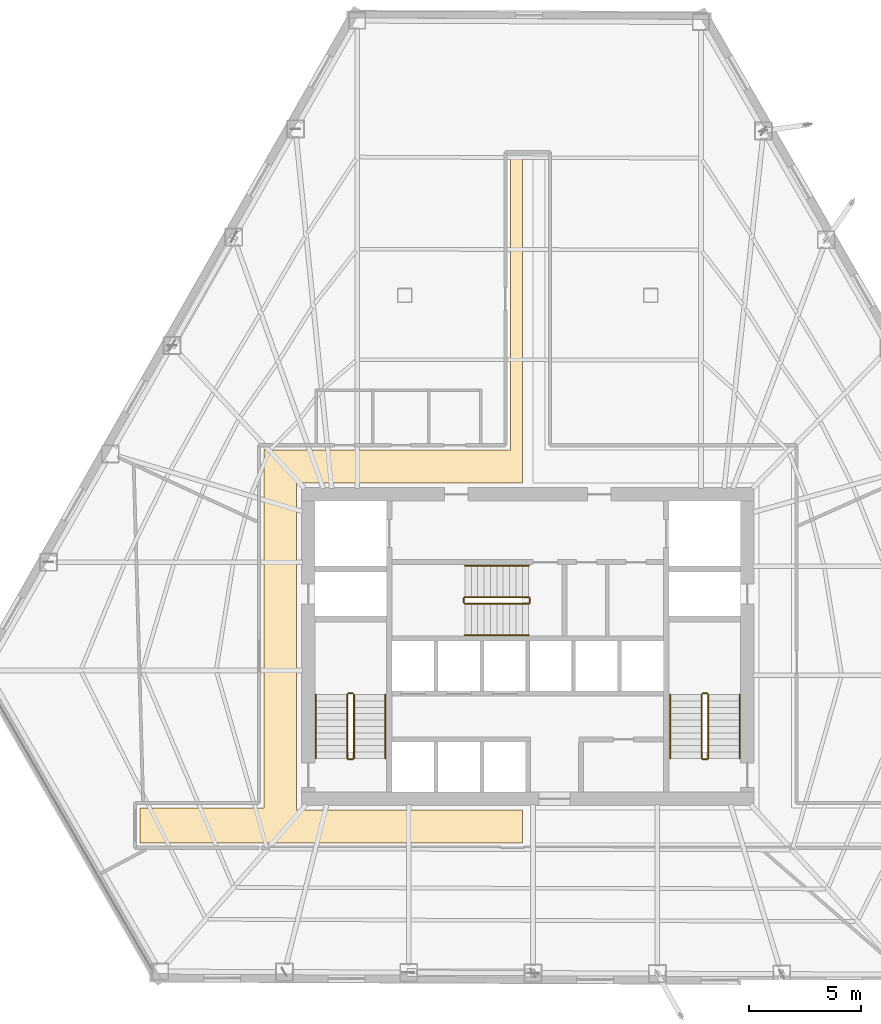
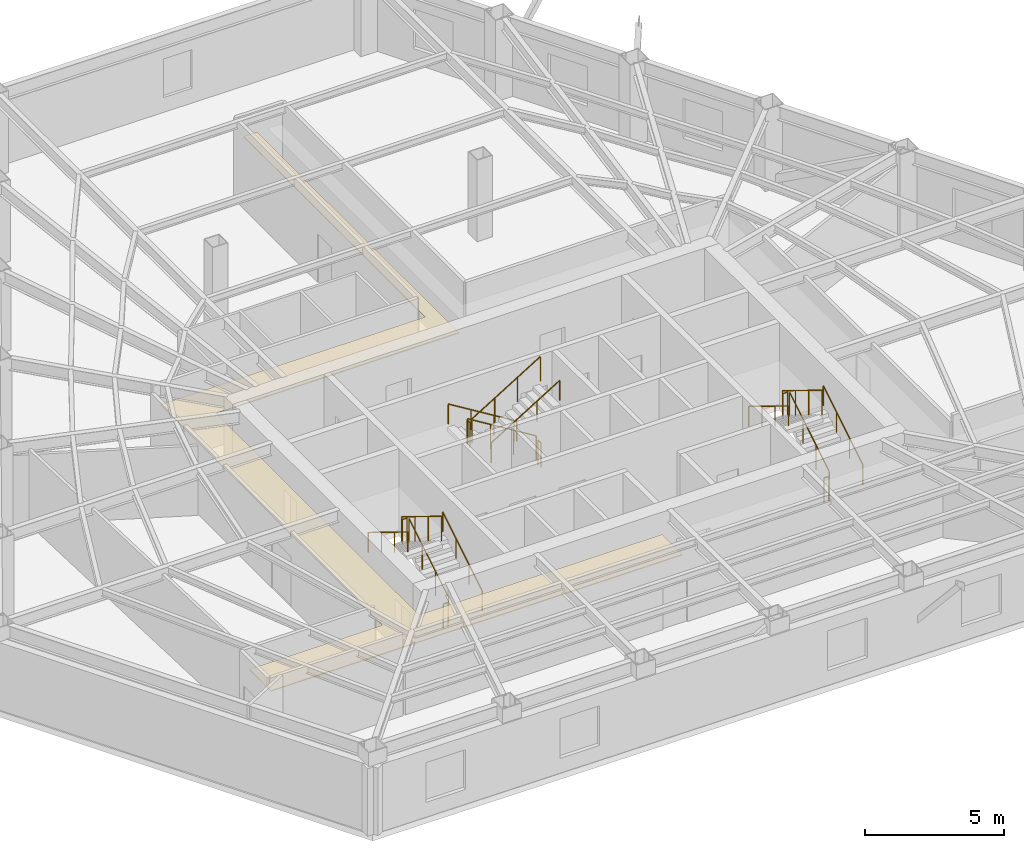
# One storey, part 12 of 13: 18 railings, 1 covering.
"""IFC4 building model written with IfcOpenShell, lengths in metres."""

import ifcopenshell
import ifcopenshell.guid

model = None  # the IFC model being written
_history = None  # IfcOwnerHistory: only IFC2X3 demands one
_inside = {}  # id of a spatial element -> (the spatial element, [elements in it])
_under = {}  # id of a project, library or spatial element -> (it, [spatial elements below it])
_declared = {}  # id of a project -> (the project, [libraries it declares])
_typed = {}  # id of a type object -> (the type object, [elements of that type])
_made_of = {}  # id of a material, layer set ... -> (it, [elements and type objects made of it])


def new_model(schema):
    """Start an empty IFC model of exactly this schema.

    Asked for "IFC4X3", IfcOpenShell would pick the latest addendum, in which some entities
    have other attributes; the version numbers below select the first issue.
    IFC2X3 requires an IfcOwnerHistory on every rooted entity: one is made here for all.
    """
    global model, _history
    if schema == "IFC4X3":
        model = ifcopenshell.file(schema_version=(4, 3, 0, 0))
    else:
        model = ifcopenshell.file(schema=schema)
    _inside.clear()
    _under.clear()
    _declared.clear()
    _typed.clear()
    _made_of.clear()
    _history = None
    if model.schema == "IFC2X3":
        org = make("IfcOrganization", Name="unknown")
        user = make(
            "IfcPersonAndOrganization",
            ThePerson=make("IfcPerson", FamilyName="unknown"),
            TheOrganization=org,
        )
        app = make(
            "IfcApplication",
            ApplicationDeveloper=org,
            Version="unknown",
            ApplicationFullName="unknown",
            ApplicationIdentifier="unknown",
        )
        _history = make(
            "IfcOwnerHistory",
            OwningUser=user,
            OwningApplication=app,
            ChangeAction="ADDED",
            CreationDate=0,
        )
    return model


def make(cls, **values):
    """One entity of the class cls with the attributes given. An attribute that is None is left unset."""
    return model.create_entity(
        cls, **{name: value for name, value in values.items() if value is not None}
    )


def rooted(cls, **values):
    """An entity with a GlobalId (a new one), such as an element, a storey or a relation."""
    return make(cls, GlobalId=ifcopenshell.guid.new(), OwnerHistory=_history, **values)


def si_unit(unit_type, name, prefix=None):
    """IfcSIUnit, for example si_unit("LENGTHUNIT", "METRE", prefix="MILLI")."""
    return make("IfcSIUnit", UnitType=unit_type, Prefix=prefix, Name=name)


def assignment(units):
    """IfcUnitAssignment: the units of a project."""
    return None if units is None else make("IfcUnitAssignment", Units=units)


def point(xyz):
    """IfcCartesianPoint."""
    return None if xyz is None else make("IfcCartesianPoint", Coordinates=xyz)


def direction(xyz):
    """IfcDirection."""
    return None if xyz is None else make("IfcDirection", DirectionRatios=xyz)


def frame(location, z_axis=None, x_axis=None):
    """IfcAxis2Placement3D, a coordinate frame: its origin and axes. An axis left out is left unset."""
    return make(
        "IfcAxis2Placement3D",
        Location=point(location),
        Axis=direction(z_axis),
        RefDirection=direction(x_axis),
    )


def frame_2d(location, x_axis=None):
    """IfcAxis2Placement2D, a coordinate frame in the plane: its origin and x axis."""
    return make(
        "IfcAxis2Placement2D", Location=point(location), RefDirection=direction(x_axis)
    )


def origin():
    """The frame at (0, 0, 0) with its axes left unset."""
    return frame((0.0, 0.0, 0.0))


def origin_2d():
    """The frame at (0, 0) in the plane with its x axis left unset."""
    return frame_2d((0.0, 0.0))


def place(relative_to, where):
    """IfcLocalPlacement: puts the frame where relative to a parent placement (None: the world)."""
    return make(
        "IfcLocalPlacement", PlacementRelTo=relative_to, RelativePlacement=where
    )


def context(
    kind, dimensions, precision=None, world=None, true_north=None, identifier=None
):
    """IfcGeometricRepresentationContext, for example the 3D "Model" context."""
    return make(
        "IfcGeometricRepresentationContext",
        ContextIdentifier=identifier,
        ContextType=kind,
        CoordinateSpaceDimension=dimensions,
        Precision=precision,
        WorldCoordinateSystem=world,
        TrueNorth=true_north,
    )


def subcontext(parent, identifier, kind, view, scale=None):
    """IfcGeometricRepresentationSubContext, for example "Body" below "Model"."""
    return make(
        "IfcGeometricRepresentationSubContext",
        ContextIdentifier=identifier,
        ContextType=kind,
        ParentContext=parent,
        TargetScale=scale,
        TargetView=view,
    )


def project(units=None, contexts=None):
    """IfcProject with its units and contexts."""
    return rooted(
        "IfcProject",
        Name="project",
        RepresentationContexts=contexts,
        UnitsInContext=assignment(units),
    )


def spatial(cls, under=None, at=None, **own):
    """A site, building, storey or space (cls), placed at a placement, below another one or the project."""
    s = rooted(cls, ObjectPlacement=at, **own)
    if under is not None:
        _under.setdefault(under.id(), (under, []))[1].append(s)
    return s


def polyline(points):
    """IfcPolyline through the points."""
    return make("IfcPolyline", Points=[point(p) for p in points])


def profile(cls, at=None, kind="AREA", **sizes):
    """A parametric profile (cls). Its sizes go by their IFC names, for example OverallWidth=200.0."""
    return make(cls, ProfileType=kind, Position=at, **sizes)


def circle(**sizes):
    """IfcCircleProfileDef."""
    return profile("IfcCircleProfileDef", **sizes)


def outline(outer, holes=None, kind="AREA"):
    """IfcArbitraryClosedProfileDef: a profile drawn as a closed curve; with holes, ...WithVoids."""
    if holes is None:
        return make("IfcArbitraryClosedProfileDef", ProfileType=kind, OuterCurve=outer)
    return make(
        "IfcArbitraryProfileDefWithVoids",
        ProfileType=kind,
        OuterCurve=outer,
        InnerCurves=holes,
    )


def extrude(swept, where, along, depth):
    """IfcExtrudedAreaSolid: the profile swept, set in the frame where, extruded along a direction by depth."""
    return make(
        "IfcExtrudedAreaSolid",
        SweptArea=swept,
        Position=where,
        ExtrudedDirection=direction(along),
        Depth=depth,
    )


def shape(context_of_items, identifier, shape_type, items):
    """IfcShapeRepresentation: the items that make up one representation, for example the "Body"."""
    return make(
        "IfcShapeRepresentation",
        ContextOfItems=context_of_items,
        RepresentationIdentifier=identifier,
        RepresentationType=shape_type,
        Items=items,
    )


def material(Name=None, Category=None):
    """IfcMaterial."""
    return make("IfcMaterial", Name=Name, Category=Category)


def layer(
    of_material, thickness, ventilated=None, Name=None, Category=None, Priority=None
):
    """IfcMaterialLayer: one layer of a wall or slab, of a material (None: an air gap)."""
    return make(
        "IfcMaterialLayer",
        Material=of_material,
        LayerThickness=thickness,
        IsVentilated=ventilated,
        Name=Name,
        Category=Category,
        Priority=Priority,
    )


def layer_set(layers, Name=None):
    """IfcMaterialLayerSet."""
    return make("IfcMaterialLayerSet", MaterialLayers=layers, LayerSetName=Name)


def made_of(thing, what):
    """Note that an element or type object is made of a material, layer set ...; save() writes the relation."""
    if what is not None:
        _made_of.setdefault(what.id(), (what, []))[1].append(thing)
    return thing


def type_object(cls, material=None, **own):
    """A type object (cls), such as IfcWallType, which elements share."""
    return made_of(rooted(cls, **own), material)


def element(
    cls,
    number,
    at=None,
    inside=None,
    cuts=None,
    type_object=None,
    material=None,
    context=None,
    identifier="Body",
    shape_type=None,
    held_by="IfcProductDefinitionShape",
    body=None,
    shapes=None,
    **own,
):
    """One element of the class cls, such as IfcWall. Its Tag is "e" and its number.

    at: its placement. inside: the storey or other place that contains it. cuts: it is an
    opening in that element (IfcRelVoidsElement). A single representation is given by context,
    identifier, shape_type and body (its items); several are given by shapes. held_by: the class
    of the entity that holds the representations. save() writes the other relations.
    """
    e = rooted(cls, Tag="e%d" % number, ObjectPlacement=at, **own)
    if body is not None:
        shapes = [shape(context, identifier, shape_type, body)]
    if shapes is not None:
        e.Representation = make(held_by, Representations=shapes)
    if inside is not None:
        _inside.setdefault(inside.id(), (inside, []))[1].append(e)
    if cuts is not None:
        rooted(
            "IfcRelVoidsElement", RelatingBuildingElement=cuts, RelatedOpeningElement=e
        )
    if type_object is not None:
        _typed.setdefault(type_object.id(), (type_object, []))[1].append(e)
    return made_of(e, material)


def aggregate(whole, parts):
    """IfcRelAggregates: a whole, such as a stair, and the parts it consists of."""
    return rooted("IfcRelAggregates", RelatingObject=whole, RelatedObjects=parts)


def save(model, path):
    """Write the relations noted so far, then the file.

    IfcRelAggregates (storeys below a building ...), IfcRelContainedInSpatialStructure (elements
    in a storey), IfcRelDefinesByType, IfcRelAssociatesMaterial and IfcRelDeclares: one each for
    every whole, place, type object, material and project.
    """
    for whole, parts in _under.values():
        aggregate(whole, parts)
    for where, things in _inside.values():
        rooted(
            "IfcRelContainedInSpatialStructure",
            RelatedElements=things,
            RelatingStructure=where,
        )
    for kind, things in _typed.values():
        rooted("IfcRelDefinesByType", RelatedObjects=things, RelatingType=kind)
    for what, things in _made_of.values():
        rooted("IfcRelAssociatesMaterial", RelatedObjects=things, RelatingMaterial=what)
    for by, libraries in _declared.values():
        rooted("IfcRelDeclares", RelatingContext=by, RelatedDefinitions=libraries)
    model.write(path)


model = new_model("IFC4")

# Units and contexts
model_context = context("Model", 3, precision=1e-05, world=origin(), true_north=direction((0.0, 1.0)))
body_context = subcontext(model_context, "Body", "Model", "MODEL_VIEW")
ifc_project = project(units=[si_unit("LENGTHUNIT", "METRE"), si_unit("AREAUNIT", "SQUARE_METRE"), si_unit("VOLUMEUNIT", "CUBIC_METRE"), si_unit("PLANEANGLEUNIT", "RADIAN"), si_unit("MASSUNIT", "GRAM", prefix="KILO")], contexts=[model_context])

# Site, building, storey
site_placement = place(None, origin())
site = spatial("IfcSite", under=ifc_project, at=site_placement, CompositionType="ELEMENT")
building_placement = place(site_placement, origin())
building = spatial("IfcBuilding", under=site, at=building_placement, Name="Kavelnor Concourse Tower", CompositionType="ELEMENT")
storey_placement = place(building_placement, frame((0.0, 0.0, 36.800048828125)))
storey = spatial("IfcBuildingStorey", under=building, at=storey_placement, Name="L09", CompositionType="ELEMENT", Elevation=36.800048828125)

# Covering
ifc_material_1 = material(Name="Mineral fibre acoustic ceiling tile")
ifc_layer = layer(ifc_material_1, 0.0400390625, Name="Mineral fibre acoustic ceiling tile")
ifc_layer_set = layer_set([ifc_layer], Name="Mineral fibre acoustic ceiling tile")
covering_type = type_object("IfcCoveringType", Name="COV-CEILING-ACOUSTIC", PredefinedType="CEILING", material=ifc_layer_set)
covering_placement = place(storey_placement, frame((0.0, 0.0, 2.75)))
element("IfcCovering", 1, at=covering_placement, inside=storey, type_object=covering_type, Name="L09 Suspended Acoustic Ceiling", PredefinedType="CEILING", context=body_context, shape_type="SweptSolid", body=[
    extrude(outline(polyline([(37.219970703125, 37.97998046875), (37.77490234375, 37.97998046875), (37.77490234375, 23.419921875), (27.659912109375, 23.419921875), (27.659912109375, 8.780029296875), (37.77490234375, 8.780029296875), (37.77490234375, 7.320068359375), (20.6630859375, 7.320068359375), (20.6630859375, 8.8798828125), (26.199951171875, 8.8798828125), (26.199951171875, 24.8798828125), (37.219970703125, 24.8798828125), (37.219970703125, 37.97998046875)])), origin(), (0.0, 0.0, 1.0), 0.0400390625),
])

# Railings
ifc_material_2 = material(Name="Steel Grade 350", Category="steel")
railing_type_1 = type_object("IfcRailingType", Name="RLG-GUARD-1100", PredefinedType="GUARDRAIL", material=ifc_material_2)
railing_1_placement = place(storey_placement, frame((30.22998046875, 11.10009765625, 0.175048828125)))
element("IfcRailing", 2, at=railing_1_placement, inside=storey, type_object=railing_type_1, Name="L09 ST1 stair guard 1", PredefinedType="GUARDRAIL", context=body_context, shape_type="SweptSolid", body=[
    extrude(circle(Radius=0.02392578125, at=origin_2d()), frame((0.0, 0.0, 1.076171875), z_axis=(0.0, 0.852159232446, 0.523282564737), x_axis=(-1.0, 0.0, 0.0)), (0.0, 0.0, 1.0), 3.34423828125),
    extrude(circle(Radius=0.02099609375, at=origin_2d()), origin(), (0.0, 0.0, 1.0), 1.052001953125),
    extrude(circle(Radius=0.02099609375, at=origin_2d()), frame((0.0, 0.949951171875, 0.583251953125)), (0.0, 0.0, 1.0), 1.052001953125),
    extrude(circle(Radius=0.02099609375, at=origin_2d()), frame((0.0, 1.89990234375, 1.166748046875)), (0.0, 0.0, 1.0), 1.052001953125),
    extrude(circle(Radius=0.02099609375, at=origin_2d()), frame((0.0, 2.849853515625, 1.75)), (0.0, 0.0, 1.0), 1.052001953125),
])
railing_2_placement = place(storey_placement, frame((30.179931640625, 14.0, 1.925048828125)))
element("IfcRailing", 3, at=railing_2_placement, inside=storey, type_object=railing_type_1, Name="L09 ST1 stair guard 2", PredefinedType="GUARDRAIL", context=body_context, shape_type="SweptSolid", body=[
    extrude(circle(Radius=0.02392578125, at=origin_2d()), frame((0.0, 0.0, 1.076171875), z_axis=(-1.0, 0.0, 0.0), x_axis=(0.0, -1.0, 0.0)), (0.0, 0.0, 1.0), 0.199951171875),
    extrude(circle(Radius=0.02099609375, at=origin_2d()), origin(), (0.0, 0.0, 1.0), 1.052001953125),
    extrude(circle(Radius=0.02099609375, at=origin_2d()), frame((-0.199951171875, 0.0, 0.0)), (0.0, 0.0, 1.0), 1.052001953125),
])
railing_3_placement = place(storey_placement, frame((29.929931640625, 13.949951171875, 2.099853515625)))
element("IfcRailing", 4, at=railing_3_placement, inside=storey, type_object=railing_type_1, Name="L09 ST1 stair guard 3", PredefinedType="GUARDRAIL", context=body_context, shape_type="SweptSolid", body=[
    extrude(circle(Radius=0.02392578125, at=origin_2d()), frame((0.0, 0.0, 1.076171875), z_axis=(0.0, -0.852159232446, 0.523282564737), x_axis=(1.0, 0.0, 0.0)), (0.0, 0.0, 1.0), 3.34423828125),
    extrude(circle(Radius=0.02099609375, at=origin_2d()), origin(), (0.0, 0.0, 1.0), 1.052001953125),
    extrude(circle(Radius=0.02099609375, at=origin_2d()), frame((0.0, -0.949951171875, 0.583251953125)), (0.0, 0.0, 1.0), 1.052001953125),
    extrude(circle(Radius=0.02099609375, at=origin_2d()), frame((0.0, -1.89990234375, 1.166748046875)), (0.0, 0.0, 1.0), 1.052001953125),
    extrude(circle(Radius=0.02099609375, at=origin_2d()), frame((0.0, -2.849853515625, 1.75)), (0.0, 0.0, 1.0), 1.052001953125),
])
railing_4_placement = place(storey_placement, frame((30.179931640625, 11.050048828125, 0.0)))
element("IfcRailing", 5, at=railing_4_placement, inside=storey, type_object=railing_type_1, Name="L09 ST1 stair guard 4", PredefinedType="GUARDRAIL", context=body_context, shape_type="SweptSolid", body=[
    extrude(circle(Radius=0.02392578125, at=origin_2d()), frame((0.0, 0.0, 1.076171875), z_axis=(-1.0, 0.0, 0.0), x_axis=(0.0, -1.0, 0.0)), (0.0, 0.0, 1.0), 0.199951171875),
    extrude(circle(Radius=0.02099609375, at=origin_2d()), origin(), (0.0, 0.0, 1.0), 1.052001953125),
    extrude(circle(Radius=0.02099609375, at=origin_2d()), frame((-0.199951171875, 0.0, 0.0)), (0.0, 0.0, 1.0), 1.052001953125),
])
railing_5_placement = place(storey_placement, frame((46.070068359375, 11.10009765625, 0.175048828125)))
element("IfcRailing", 6, at=railing_5_placement, inside=storey, type_object=railing_type_1, Name="L09 ST2 stair guard 1", PredefinedType="GUARDRAIL", context=body_context, shape_type="SweptSolid", body=[
    extrude(circle(Radius=0.02392578125, at=origin_2d()), frame((0.0, 0.0, 1.076171875), z_axis=(0.0, 0.852159232446, 0.523282564737), x_axis=(-1.0, 0.0, 0.0)), (0.0, 0.0, 1.0), 3.34423828125),
    extrude(circle(Radius=0.02099609375, at=origin_2d()), origin(), (0.0, 0.0, 1.0), 1.052001953125),
    extrude(circle(Radius=0.02099609375, at=origin_2d()), frame((0.0, 0.949951171875, 0.583251953125)), (0.0, 0.0, 1.0), 1.052001953125),
    extrude(circle(Radius=0.02099609375, at=origin_2d()), frame((0.0, 1.89990234375, 1.166748046875)), (0.0, 0.0, 1.0), 1.052001953125),
    extrude(circle(Radius=0.02099609375, at=origin_2d()), frame((0.0, 2.849853515625, 1.75)), (0.0, 0.0, 1.0), 1.052001953125),
])
railing_6_placement = place(storey_placement, frame((46.02001953125, 14.0, 1.925048828125)))
element("IfcRailing", 7, at=railing_6_placement, inside=storey, type_object=railing_type_1, Name="L09 ST2 stair guard 2", PredefinedType="GUARDRAIL", context=body_context, shape_type="SweptSolid", body=[
    extrude(circle(Radius=0.02392578125, at=origin_2d()), frame((0.0, 0.0, 1.076171875), z_axis=(-1.0, 0.0, 0.0), x_axis=(0.0, -1.0, 0.0)), (0.0, 0.0, 1.0), 0.199951171875),
    extrude(circle(Radius=0.02099609375, at=origin_2d()), origin(), (0.0, 0.0, 1.0), 1.052001953125),
    extrude(circle(Radius=0.02099609375, at=origin_2d()), frame((-0.199951171875, 0.0, 0.0)), (0.0, 0.0, 1.0), 1.052001953125),
])
railing_7_placement = place(storey_placement, frame((45.77001953125, 13.949951171875, 2.099853515625)))
element("IfcRailing", 8, at=railing_7_placement, inside=storey, type_object=railing_type_1, Name="L09 ST2 stair guard 3", PredefinedType="GUARDRAIL", context=body_context, shape_type="SweptSolid", body=[
    extrude(circle(Radius=0.02392578125, at=origin_2d()), frame((0.0, 0.0, 1.076171875), z_axis=(0.0, -0.852159232446, 0.523282564737), x_axis=(1.0, 0.0, 0.0)), (0.0, 0.0, 1.0), 3.34423828125),
    extrude(circle(Radius=0.02099609375, at=origin_2d()), origin(), (0.0, 0.0, 1.0), 1.052001953125),
    extrude(circle(Radius=0.02099609375, at=origin_2d()), frame((0.0, -0.949951171875, 0.583251953125)), (0.0, 0.0, 1.0), 1.052001953125),
    extrude(circle(Radius=0.02099609375, at=origin_2d()), frame((0.0, -1.89990234375, 1.166748046875)), (0.0, 0.0, 1.0), 1.052001953125),
    extrude(circle(Radius=0.02099609375, at=origin_2d()), frame((0.0, -2.849853515625, 1.75)), (0.0, 0.0, 1.0), 1.052001953125),
])
railing_8_placement = place(storey_placement, frame((46.02001953125, 11.050048828125, 0.0)))
element("IfcRailing", 9, at=railing_8_placement, inside=storey, type_object=railing_type_1, Name="L09 ST2 stair guard 4", PredefinedType="GUARDRAIL", context=body_context, shape_type="SweptSolid", body=[
    extrude(circle(Radius=0.02392578125, at=origin_2d()), frame((0.0, 0.0, 1.076171875), z_axis=(-1.0, 0.0, 0.0), x_axis=(0.0, -1.0, 0.0)), (0.0, 0.0, 1.0), 0.199951171875),
    extrude(circle(Radius=0.02099609375, at=origin_2d()), origin(), (0.0, 0.0, 1.0), 1.052001953125),
    extrude(circle(Radius=0.02099609375, at=origin_2d()), frame((-0.199951171875, 0.0, 0.0)), (0.0, 0.0, 1.0), 1.052001953125),
])
railing_9_placement = place(storey_placement, frame((38.0400390625, 18.31005859375, 0.175048828125)))
element("IfcRailing", 10, at=railing_9_placement, inside=storey, type_object=railing_type_1, Name="L09 ST3 stair guard 1", PredefinedType="GUARDRAIL", context=body_context, shape_type="SweptSolid", body=[
    extrude(circle(Radius=0.02392578125, at=origin_2d()), frame((0.0, 0.0, 1.076171875), z_axis=(-0.852179220489, 0.0, 0.52325001306), x_axis=(0.0, -1.0, 0.0)), (0.0, 0.0, 1.0), 3.344482421875),
    extrude(circle(Radius=0.02099609375, at=origin_2d()), origin(), (0.0, 0.0, 1.0), 1.052001953125),
    extrude(circle(Radius=0.02099609375, at=origin_2d()), frame((-0.949951171875, 0.0, 0.583251953125)), (0.0, 0.0, 1.0), 1.052001953125),
    extrude(circle(Radius=0.02099609375, at=origin_2d()), frame((-1.900146484375, 0.0, 1.166748046875)), (0.0, 0.0, 1.0), 1.052001953125),
    extrude(circle(Radius=0.02099609375, at=origin_2d()), frame((-2.85009765625, 0.0, 1.75)), (0.0, 0.0, 1.0), 1.052001953125),
])
railing_10_placement = place(storey_placement, frame((35.139892578125, 18.260009765625, 1.925048828125)))
element("IfcRailing", 11, at=railing_10_placement, inside=storey, type_object=railing_type_1, Name="L09 ST3 stair guard 2", PredefinedType="GUARDRAIL", context=body_context, shape_type="SweptSolid", body=[
    extrude(circle(Radius=0.02392578125, at=origin_2d()), frame((0.0, 0.0, 1.076171875), z_axis=(0.0, -1.0, 0.0), x_axis=(1.0, 0.0, 0.0)), (0.0, 0.0, 1.0), 0.199951171875),
    extrude(circle(Radius=0.02099609375, at=origin_2d()), origin(), (0.0, 0.0, 1.0), 1.052001953125),
    extrude(circle(Radius=0.02099609375, at=origin_2d()), frame((0.0, -0.199951171875, 0.0)), (0.0, 0.0, 1.0), 1.052001953125),
])
railing_11_placement = place(storey_placement, frame((35.18994140625, 18.010009765625, 2.099853515625)))
element("IfcRailing", 12, at=railing_11_placement, inside=storey, type_object=railing_type_1, Name="L09 ST3 stair guard 3", PredefinedType="GUARDRAIL", context=body_context, shape_type="SweptSolid", body=[
    extrude(circle(Radius=0.02392578125, at=origin_2d()), frame((0.0, 0.0, 1.076171875), z_axis=(0.852179220489, 0.0, 0.52325001306), x_axis=(0.0, 1.0, 0.0)), (0.0, 0.0, 1.0), 3.344482421875),
    extrude(circle(Radius=0.02099609375, at=origin_2d()), origin(), (0.0, 0.0, 1.0), 1.052001953125),
    extrude(circle(Radius=0.02099609375, at=origin_2d()), frame((0.949951171875, 0.0, 0.583251953125)), (0.0, 0.0, 1.0), 1.052001953125),
    extrude(circle(Radius=0.02099609375, at=origin_2d()), frame((1.900146484375, 0.0, 1.166748046875)), (0.0, 0.0, 1.0), 1.052001953125),
    extrude(circle(Radius=0.02099609375, at=origin_2d()), frame((2.85009765625, 0.0, 1.75)), (0.0, 0.0, 1.0), 1.052001953125),
])
railing_12_placement = place(storey_placement, frame((38.090087890625, 18.260009765625, 0.0)))
element("IfcRailing", 13, at=railing_12_placement, inside=storey, type_object=railing_type_1, Name="L09 ST3 stair guard 4", PredefinedType="GUARDRAIL", context=body_context, shape_type="SweptSolid", body=[
    extrude(circle(Radius=0.02392578125, at=origin_2d()), frame((0.0, 0.0, 1.076171875), z_axis=(0.0, -1.0, 0.0), x_axis=(1.0, 0.0, 0.0)), (0.0, 0.0, 1.0), 0.199951171875),
    extrude(circle(Radius=0.02099609375, at=origin_2d()), origin(), (0.0, 0.0, 1.0), 1.052001953125),
    extrude(circle(Radius=0.02099609375, at=origin_2d()), frame((0.0, -0.199951171875, 0.0)), (0.0, 0.0, 1.0), 1.052001953125),
])
railing_type_2 = type_object("IfcRailingType", Name="RLG-HANDRAIL-900", PredefinedType="HANDRAIL", material=ifc_material_2)
railing_13_placement = place(storey_placement, frame((31.6298828125, 11.10009765625, 0.175048828125)))
element("IfcRailing", 14, at=railing_13_placement, inside=storey, type_object=railing_type_2, Name="L09 ST1 stair handrail 1", PredefinedType="HANDRAIL", context=body_context, shape_type="SweptSolid", body=[
    extrude(circle(Radius=0.02392578125, at=origin_2d()), frame((0.0, 0.0, 0.8759765625), z_axis=(0.0, 0.852159232446, 0.523282564737), x_axis=(-1.0, 0.0, 0.0)), (0.0, 0.0, 1.0), 3.34423828125),
    extrude(circle(Radius=0.02099609375, at=origin_2d()), origin(), (0.0, 0.0, 1.0), 0.851806640625),
    extrude(circle(Radius=0.02099609375, at=origin_2d()), frame((0.0, 0.949951171875, 0.583251953125)), (0.0, 0.0, 1.0), 0.851806640625),
    extrude(circle(Radius=0.02099609375, at=origin_2d()), frame((0.0, 1.89990234375, 1.166748046875)), (0.0, 0.0, 1.0), 0.851806640625),
    extrude(circle(Radius=0.02099609375, at=origin_2d()), frame((0.0, 2.849853515625, 1.75)), (0.0, 0.0, 1.0), 0.851806640625),
])
railing_14_placement = place(storey_placement, frame((28.530029296875, 13.949951171875, 2.099853515625)))
element("IfcRailing", 15, at=railing_14_placement, inside=storey, type_object=railing_type_2, Name="L09 ST1 stair handrail 2", PredefinedType="HANDRAIL", context=body_context, shape_type="SweptSolid", body=[
    extrude(circle(Radius=0.02392578125, at=origin_2d()), frame((0.0, 0.0, 0.8759765625), z_axis=(0.0, -0.852159232446, 0.523282564737), x_axis=(1.0, 0.0, 0.0)), (0.0, 0.0, 1.0), 3.34423828125),
    extrude(circle(Radius=0.02099609375, at=origin_2d()), origin(), (0.0, 0.0, 1.0), 0.851806640625),
    extrude(circle(Radius=0.02099609375, at=origin_2d()), frame((0.0, -0.949951171875, 0.583251953125)), (0.0, 0.0, 1.0), 0.851806640625),
    extrude(circle(Radius=0.02099609375, at=origin_2d()), frame((0.0, -1.89990234375, 1.166748046875)), (0.0, 0.0, 1.0), 0.851806640625),
    extrude(circle(Radius=0.02099609375, at=origin_2d()), frame((0.0, -2.849853515625, 1.75)), (0.0, 0.0, 1.0), 0.851806640625),
])
railing_15_placement = place(storey_placement, frame((47.469970703125, 11.10009765625, 0.175048828125)))
element("IfcRailing", 16, at=railing_15_placement, inside=storey, type_object=railing_type_2, Name="L09 ST2 stair handrail 1", PredefinedType="HANDRAIL", context=body_context, shape_type="SweptSolid", body=[
    extrude(circle(Radius=0.02392578125, at=origin_2d()), frame((0.0, 0.0, 0.8759765625), z_axis=(0.0, 0.852159232446, 0.523282564737), x_axis=(-1.0, 0.0, 0.0)), (0.0, 0.0, 1.0), 3.34423828125),
    extrude(circle(Radius=0.02099609375, at=origin_2d()), origin(), (0.0, 0.0, 1.0), 0.851806640625),
    extrude(circle(Radius=0.02099609375, at=origin_2d()), frame((0.0, 0.949951171875, 0.583251953125)), (0.0, 0.0, 1.0), 0.851806640625),
    extrude(circle(Radius=0.02099609375, at=origin_2d()), frame((0.0, 1.89990234375, 1.166748046875)), (0.0, 0.0, 1.0), 0.851806640625),
    extrude(circle(Radius=0.02099609375, at=origin_2d()), frame((0.0, 2.849853515625, 1.75)), (0.0, 0.0, 1.0), 0.851806640625),
])
railing_16_placement = place(storey_placement, frame((44.3701171875, 13.949951171875, 2.099853515625)))
element("IfcRailing", 17, at=railing_16_placement, inside=storey, type_object=railing_type_2, Name="L09 ST2 stair handrail 2", PredefinedType="HANDRAIL", context=body_context, shape_type="SweptSolid", body=[
    extrude(circle(Radius=0.02392578125, at=origin_2d()), frame((0.0, 0.0, 0.8759765625), z_axis=(0.0, -0.852159232446, 0.523282564737), x_axis=(1.0, 0.0, 0.0)), (0.0, 0.0, 1.0), 3.34423828125),
    extrude(circle(Radius=0.02099609375, at=origin_2d()), origin(), (0.0, 0.0, 1.0), 0.851806640625),
    extrude(circle(Radius=0.02099609375, at=origin_2d()), frame((0.0, -0.949951171875, 0.583251953125)), (0.0, 0.0, 1.0), 0.851806640625),
    extrude(circle(Radius=0.02099609375, at=origin_2d()), frame((0.0, -1.89990234375, 1.166748046875)), (0.0, 0.0, 1.0), 0.851806640625),
    extrude(circle(Radius=0.02099609375, at=origin_2d()), frame((0.0, -2.849853515625, 1.75)), (0.0, 0.0, 1.0), 0.851806640625),
])
railing_17_placement = place(storey_placement, frame((38.0400390625, 19.7099609375, 0.175048828125)))
element("IfcRailing", 18, at=railing_17_placement, inside=storey, type_object=railing_type_2, Name="L09 ST3 stair handrail 1", PredefinedType="HANDRAIL", context=body_context, shape_type="SweptSolid", body=[
    extrude(circle(Radius=0.02392578125, at=origin_2d()), frame((0.0, 0.0, 0.8759765625), z_axis=(-0.852179220489, 0.0, 0.52325001306), x_axis=(0.0, -1.0, 0.0)), (0.0, 0.0, 1.0), 3.344482421875),
    extrude(circle(Radius=0.02099609375, at=origin_2d()), origin(), (0.0, 0.0, 1.0), 0.851806640625),
    extrude(circle(Radius=0.02099609375, at=origin_2d()), frame((-0.949951171875, 0.0, 0.583251953125)), (0.0, 0.0, 1.0), 0.851806640625),
    extrude(circle(Radius=0.02099609375, at=origin_2d()), frame((-1.900146484375, 0.0, 1.166748046875)), (0.0, 0.0, 1.0), 0.851806640625),
    extrude(circle(Radius=0.02099609375, at=origin_2d()), frame((-2.85009765625, 0.0, 1.75)), (0.0, 0.0, 1.0), 0.851806640625),
])
railing_18_placement = place(storey_placement, frame((35.18994140625, 16.610107421875, 2.099853515625)))
element("IfcRailing", 19, at=railing_18_placement, inside=storey, type_object=railing_type_2, Name="L09 ST3 stair handrail 2", PredefinedType="HANDRAIL", context=body_context, shape_type="SweptSolid", body=[
    extrude(circle(Radius=0.02392578125, at=origin_2d()), frame((0.0, 0.0, 0.8759765625), z_axis=(0.852179220489, 0.0, 0.52325001306), x_axis=(0.0, 1.0, 0.0)), (0.0, 0.0, 1.0), 3.344482421875),
    extrude(circle(Radius=0.02099609375, at=origin_2d()), origin(), (0.0, 0.0, 1.0), 0.851806640625),
    extrude(circle(Radius=0.02099609375, at=origin_2d()), frame((0.949951171875, 0.0, 0.583251953125)), (0.0, 0.0, 1.0), 0.851806640625),
    extrude(circle(Radius=0.02099609375, at=origin_2d()), frame((1.900146484375, 0.0, 1.166748046875)), (0.0, 0.0, 1.0), 0.851806640625),
    extrude(circle(Radius=0.02099609375, at=origin_2d()), frame((2.85009765625, 0.0, 1.75)), (0.0, 0.0, 1.0), 0.851806640625),
])

save(model, "model.ifc")
